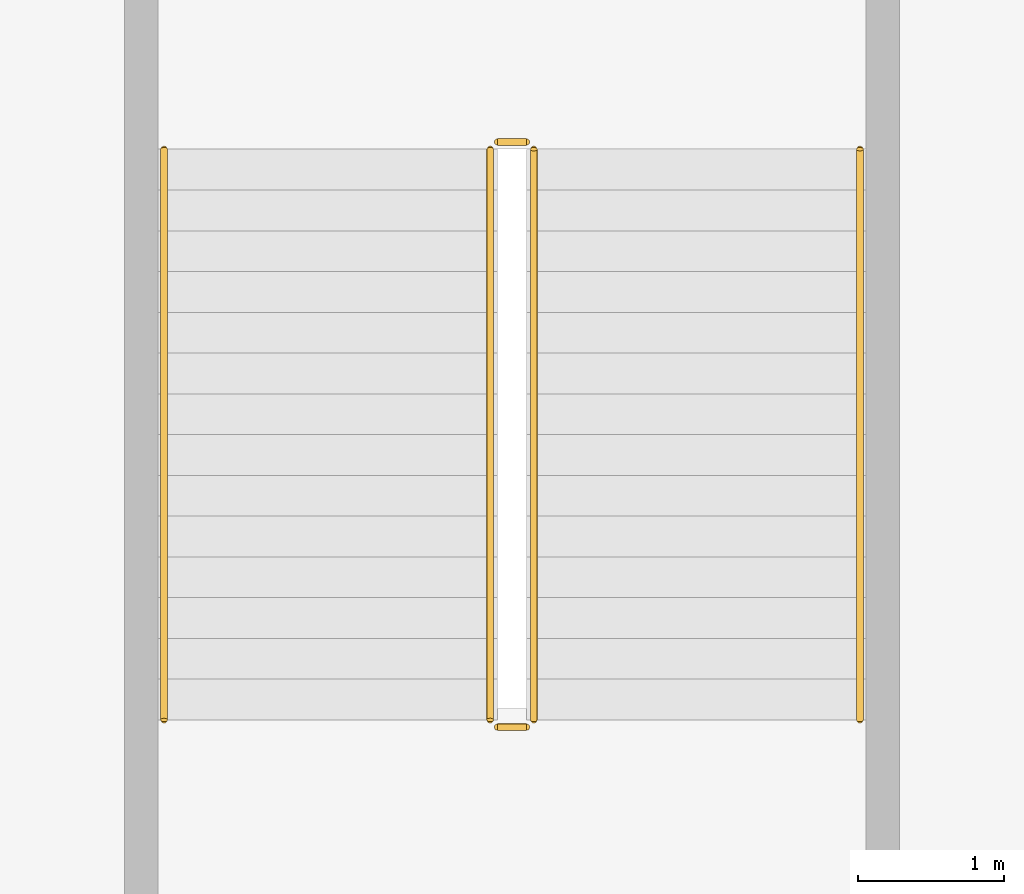
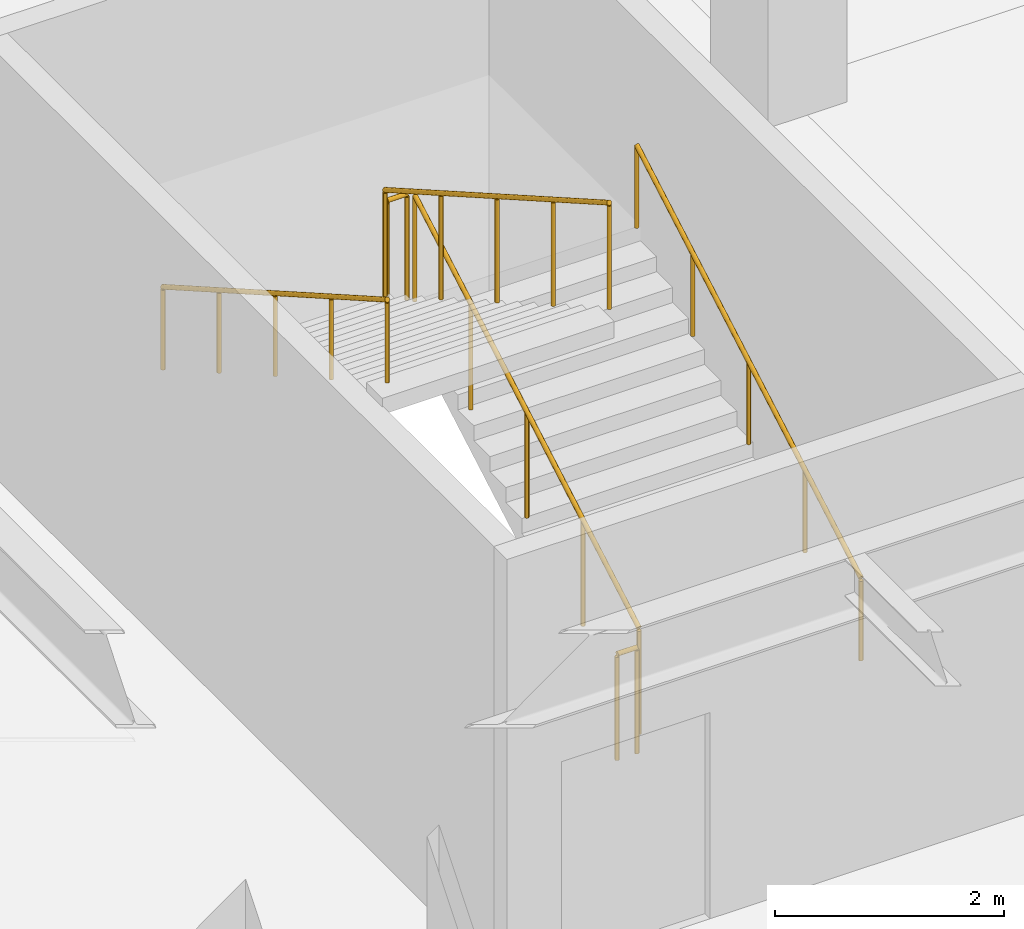
# One storey, part 115 of 134: 6 railings.
"""IFC4 building model written with IfcOpenShell, lengths in metres."""

import ifcopenshell
import ifcopenshell.guid

model = None  # the IFC model being written
_history = None  # IfcOwnerHistory: only IFC2X3 demands one
_inside = {}  # id of a spatial element -> (the spatial element, [elements in it])
_under = {}  # id of a project, library or spatial element -> (it, [spatial elements below it])
_declared = {}  # id of a project -> (the project, [libraries it declares])
_typed = {}  # id of a type object -> (the type object, [elements of that type])
_made_of = {}  # id of a material, layer set ... -> (it, [elements and type objects made of it])


def new_model(schema):
    """Start an empty IFC model of exactly this schema.

    Asked for "IFC4X3", IfcOpenShell would pick the latest addendum, in which some entities
    have other attributes; the version numbers below select the first issue.
    IFC2X3 requires an IfcOwnerHistory on every rooted entity: one is made here for all.
    """
    global model, _history
    if schema == "IFC4X3":
        model = ifcopenshell.file(schema_version=(4, 3, 0, 0))
    else:
        model = ifcopenshell.file(schema=schema)
    _inside.clear()
    _under.clear()
    _declared.clear()
    _typed.clear()
    _made_of.clear()
    _history = None
    if model.schema == "IFC2X3":
        org = make("IfcOrganization", Name="unknown")
        user = make(
            "IfcPersonAndOrganization",
            ThePerson=make("IfcPerson", FamilyName="unknown"),
            TheOrganization=org,
        )
        app = make(
            "IfcApplication",
            ApplicationDeveloper=org,
            Version="unknown",
            ApplicationFullName="unknown",
            ApplicationIdentifier="unknown",
        )
        _history = make(
            "IfcOwnerHistory",
            OwningUser=user,
            OwningApplication=app,
            ChangeAction="ADDED",
            CreationDate=0,
        )
    return model


def make(cls, **values):
    """One entity of the class cls with the attributes given. An attribute that is None is left unset."""
    return model.create_entity(
        cls, **{name: value for name, value in values.items() if value is not None}
    )


def rooted(cls, **values):
    """An entity with a GlobalId (a new one), such as an element, a storey or a relation."""
    return make(cls, GlobalId=ifcopenshell.guid.new(), OwnerHistory=_history, **values)


def si_unit(unit_type, name, prefix=None):
    """IfcSIUnit, for example si_unit("LENGTHUNIT", "METRE", prefix="MILLI")."""
    return make("IfcSIUnit", UnitType=unit_type, Prefix=prefix, Name=name)


def assignment(units):
    """IfcUnitAssignment: the units of a project."""
    return None if units is None else make("IfcUnitAssignment", Units=units)


def point(xyz):
    """IfcCartesianPoint."""
    return None if xyz is None else make("IfcCartesianPoint", Coordinates=xyz)


def direction(xyz):
    """IfcDirection."""
    return None if xyz is None else make("IfcDirection", DirectionRatios=xyz)


def frame(location, z_axis=None, x_axis=None):
    """IfcAxis2Placement3D, a coordinate frame: its origin and axes. An axis left out is left unset."""
    return make(
        "IfcAxis2Placement3D",
        Location=point(location),
        Axis=direction(z_axis),
        RefDirection=direction(x_axis),
    )


def frame_2d(location, x_axis=None):
    """IfcAxis2Placement2D, a coordinate frame in the plane: its origin and x axis."""
    return make(
        "IfcAxis2Placement2D", Location=point(location), RefDirection=direction(x_axis)
    )


def origin():
    """The frame at (0, 0, 0) with its axes left unset."""
    return frame((0.0, 0.0, 0.0))


def origin_2d():
    """The frame at (0, 0) in the plane with its x axis left unset."""
    return frame_2d((0.0, 0.0))


def place(relative_to, where):
    """IfcLocalPlacement: puts the frame where relative to a parent placement (None: the world)."""
    return make(
        "IfcLocalPlacement", PlacementRelTo=relative_to, RelativePlacement=where
    )


def context(
    kind, dimensions, precision=None, world=None, true_north=None, identifier=None
):
    """IfcGeometricRepresentationContext, for example the 3D "Model" context."""
    return make(
        "IfcGeometricRepresentationContext",
        ContextIdentifier=identifier,
        ContextType=kind,
        CoordinateSpaceDimension=dimensions,
        Precision=precision,
        WorldCoordinateSystem=world,
        TrueNorth=true_north,
    )


def subcontext(parent, identifier, kind, view, scale=None):
    """IfcGeometricRepresentationSubContext, for example "Body" below "Model"."""
    return make(
        "IfcGeometricRepresentationSubContext",
        ContextIdentifier=identifier,
        ContextType=kind,
        ParentContext=parent,
        TargetScale=scale,
        TargetView=view,
    )


def project(units=None, contexts=None):
    """IfcProject with its units and contexts."""
    return rooted(
        "IfcProject",
        Name="project",
        RepresentationContexts=contexts,
        UnitsInContext=assignment(units),
    )


def spatial(cls, under=None, at=None, **own):
    """A site, building, storey or space (cls), placed at a placement, below another one or the project."""
    s = rooted(cls, ObjectPlacement=at, **own)
    if under is not None:
        _under.setdefault(under.id(), (under, []))[1].append(s)
    return s


def profile(cls, at=None, kind="AREA", **sizes):
    """A parametric profile (cls). Its sizes go by their IFC names, for example OverallWidth=200.0."""
    return make(cls, ProfileType=kind, Position=at, **sizes)


def circle(**sizes):
    """IfcCircleProfileDef."""
    return profile("IfcCircleProfileDef", **sizes)


def extrude(swept, where, along, depth):
    """IfcExtrudedAreaSolid: the profile swept, set in the frame where, extruded along a direction by depth."""
    return make(
        "IfcExtrudedAreaSolid",
        SweptArea=swept,
        Position=where,
        ExtrudedDirection=direction(along),
        Depth=depth,
    )


def shape(context_of_items, identifier, shape_type, items):
    """IfcShapeRepresentation: the items that make up one representation, for example the "Body"."""
    return make(
        "IfcShapeRepresentation",
        ContextOfItems=context_of_items,
        RepresentationIdentifier=identifier,
        RepresentationType=shape_type,
        Items=items,
    )


def material(Name=None, Category=None):
    """IfcMaterial."""
    return make("IfcMaterial", Name=Name, Category=Category)


def layer(
    of_material, thickness, ventilated=None, Name=None, Category=None, Priority=None
):
    """IfcMaterialLayer: one layer of a wall or slab, of a material (None: an air gap)."""
    return make(
        "IfcMaterialLayer",
        Material=of_material,
        LayerThickness=thickness,
        IsVentilated=ventilated,
        Name=Name,
        Category=Category,
        Priority=Priority,
    )


def layer_set(layers, Name=None):
    """IfcMaterialLayerSet."""
    return make("IfcMaterialLayerSet", MaterialLayers=layers, LayerSetName=Name)


def made_of(thing, what):
    """Note that an element or type object is made of a material, layer set ...; save() writes the relation."""
    if what is not None:
        _made_of.setdefault(what.id(), (what, []))[1].append(thing)
    return thing


def type_object(cls, material=None, **own):
    """A type object (cls), such as IfcWallType, which elements share."""
    return made_of(rooted(cls, **own), material)


def element(
    cls,
    number,
    at=None,
    inside=None,
    cuts=None,
    type_object=None,
    material=None,
    context=None,
    identifier="Body",
    shape_type=None,
    held_by="IfcProductDefinitionShape",
    body=None,
    shapes=None,
    **own,
):
    """One element of the class cls, such as IfcWall. Its Tag is "e" and its number.

    at: its placement. inside: the storey or other place that contains it. cuts: it is an
    opening in that element (IfcRelVoidsElement). A single representation is given by context,
    identifier, shape_type and body (its items); several are given by shapes. held_by: the class
    of the entity that holds the representations. save() writes the other relations.
    """
    e = rooted(cls, Tag="e%d" % number, ObjectPlacement=at, **own)
    if body is not None:
        shapes = [shape(context, identifier, shape_type, body)]
    if shapes is not None:
        e.Representation = make(held_by, Representations=shapes)
    if inside is not None:
        _inside.setdefault(inside.id(), (inside, []))[1].append(e)
    if cuts is not None:
        rooted(
            "IfcRelVoidsElement", RelatingBuildingElement=cuts, RelatedOpeningElement=e
        )
    if type_object is not None:
        _typed.setdefault(type_object.id(), (type_object, []))[1].append(e)
    return made_of(e, material)


def aggregate(whole, parts):
    """IfcRelAggregates: a whole, such as a stair, and the parts it consists of."""
    return rooted("IfcRelAggregates", RelatingObject=whole, RelatedObjects=parts)


def save(model, path):
    """Write the relations noted so far, then the file.

    IfcRelAggregates (storeys below a building ...), IfcRelContainedInSpatialStructure (elements
    in a storey), IfcRelDefinesByType, IfcRelAssociatesMaterial and IfcRelDeclares: one each for
    every whole, place, type object, material and project.
    """
    for whole, parts in _under.values():
        aggregate(whole, parts)
    for where, things in _inside.values():
        rooted(
            "IfcRelContainedInSpatialStructure",
            RelatedElements=things,
            RelatingStructure=where,
        )
    for kind, things in _typed.values():
        rooted("IfcRelDefinesByType", RelatedObjects=things, RelatingType=kind)
    for what, things in _made_of.values():
        rooted("IfcRelAssociatesMaterial", RelatedObjects=things, RelatingMaterial=what)
    for by, libraries in _declared.values():
        rooted("IfcRelDeclares", RelatingContext=by, RelatedDefinitions=libraries)
    model.write(path)


model = new_model("IFC4")

# Units and contexts
model_context = context("Model", 3, precision=1e-05, world=origin(), true_north=direction((0.0, 1.0)))
body_context = subcontext(model_context, "Body", "Model", "MODEL_VIEW")
ifc_project = project(units=[si_unit("LENGTHUNIT", "METRE"), si_unit("AREAUNIT", "SQUARE_METRE"), si_unit("VOLUMEUNIT", "CUBIC_METRE"), si_unit("PLANEANGLEUNIT", "RADIAN"), si_unit("MASSUNIT", "GRAM", prefix="KILO")], contexts=[model_context])

# Site, building, storey
site_placement = place(None, origin())
site = spatial("IfcSite", under=ifc_project, at=site_placement, CompositionType="ELEMENT")
building_placement = place(site_placement, origin())
building = spatial("IfcBuilding", under=site, at=building_placement, Name="Kazenohara Klinker Stadium", CompositionType="ELEMENT")
storey_placement = place(building_placement, frame((0.0, 0.0, 5.39990234375)))
storey = spatial("IfcBuildingStorey", under=building, at=storey_placement, Name="L01", CompositionType="ELEMENT", Elevation=5.39990234375)

# Railings
ifc_material_1 = material(Name="Brushed stainless steel 304 handrail", Category="steel")
ifc_layer_1 = layer(ifc_material_1, 0.050048828125)
ifc_layer_set_1 = layer_set([ifc_layer_1], Name="Brushed stainless steel 304 handrail")
railing_type_1 = type_object("IfcRailingType", Name="RL-HND-900", PredefinedType="HANDRAIL", material=ifc_layer_set_1)
railing_1_placement = place(storey_placement, frame((183.639892578125, 27.8798828125, 0.16015625)))
element("IfcRailing", 1, at=railing_1_placement, inside=storey, type_object=railing_type_1, Name="L01 ST16 stair handrail 1", PredefinedType="HANDRAIL", context=body_context, shape_type="SweptSolid", body=[
    extrude(circle(Radius=0.02392578125, at=origin_2d()), frame((0.0, 0.0, 0.8759765625), z_axis=(0.0, 0.86825312469, 0.496121468458), x_axis=(-1.0, 0.0, 0.0)), (0.0, 0.0, 1.0), 4.514892578125),
    extrude(circle(Radius=0.02099609375, at=origin_2d()), origin(), (0.0, 0.0, 1.0), 0.851806640625),
    extrude(circle(Radius=0.02099609375, at=origin_2d()), frame((0.0, 0.97998046875, 0.56005859375)), (0.0, 0.0, 1.0), 0.851806640625),
    extrude(circle(Radius=0.02099609375, at=origin_2d()), frame((0.0, 1.9599609375, 1.1201171875)), (0.0, 0.0, 1.0), 0.851806640625),
    extrude(circle(Radius=0.02099609375, at=origin_2d()), frame((0.0, 2.940185546875, 1.679931640625)), (0.0, 0.0, 1.0), 0.851806640625),
    extrude(circle(Radius=0.02099609375, at=origin_2d()), frame((0.0, 3.920166015625, 2.239990234375)), (0.0, 0.0, 1.0), 0.851806640625),
])
railing_2_placement = place(storey_placement, frame((178.860107421875, 31.800048828125, 2.56005859375)))
element("IfcRailing", 2, at=railing_2_placement, inside=storey, type_object=railing_type_1, Name="L01 ST16 stair handrail 2", PredefinedType="HANDRAIL", context=body_context, shape_type="SweptSolid", body=[
    extrude(circle(Radius=0.02392578125, at=origin_2d()), frame((0.0, 0.0, 0.8759765625), z_axis=(0.0, -0.86825312469, 0.496121468458), x_axis=(1.0, 0.0, 0.0)), (0.0, 0.0, 1.0), 4.514892578125),
    extrude(circle(Radius=0.02099609375, at=origin_2d()), origin(), (0.0, 0.0, 1.0), 0.851806640625),
    extrude(circle(Radius=0.02099609375, at=origin_2d()), frame((0.0, -0.97998046875, 0.56005859375)), (0.0, 0.0, 1.0), 0.851806640625),
    extrude(circle(Radius=0.02099609375, at=origin_2d()), frame((0.0, -1.9599609375, 1.1201171875)), (0.0, 0.0, 1.0), 0.851806640625),
    extrude(circle(Radius=0.02099609375, at=origin_2d()), frame((0.0, -2.940185546875, 1.679931640625)), (0.0, 0.0, 1.0), 0.851806640625),
    extrude(circle(Radius=0.02099609375, at=origin_2d()), frame((0.0, -3.920166015625, 2.239990234375)), (0.0, 0.0, 1.0), 0.851806640625),
])
ifc_material_2 = material(Name="Painted steel stairwell guardrail", Category="steel")
ifc_layer_2 = layer(ifc_material_2, 0.06005859375)
ifc_layer_set_2 = layer_set([ifc_layer_2], Name="Painted steel stairwell guardrail")
railing_type_2 = type_object("IfcRailingType", Name="RL-STG-1120", PredefinedType="GUARDRAIL", material=ifc_layer_set_2)
railing_3_placement = place(storey_placement, frame((181.39990234375, 27.8798828125, 0.16015625)))
element("IfcRailing", 3, at=railing_3_placement, inside=storey, type_object=railing_type_2, Name="L01 ST16 stair guard 1", PredefinedType="GUARDRAIL", context=body_context, shape_type="SweptSolid", body=[
    extrude(circle(Radius=0.02392578125, at=origin_2d()), frame((0.0, 0.0, 1.1259765625), z_axis=(0.0, 0.86825312469, 0.496121468458), x_axis=(-1.0, 0.0, 0.0)), (0.0, 0.0, 1.0), 4.514892578125),
    extrude(circle(Radius=0.02099609375, at=origin_2d()), origin(), (0.0, 0.0, 1.0), 1.101806640625),
    extrude(circle(Radius=0.02099609375, at=origin_2d()), frame((0.0, 0.97998046875, 0.56005859375)), (0.0, 0.0, 1.0), 1.101806640625),
    extrude(circle(Radius=0.02099609375, at=origin_2d()), frame((0.0, 1.9599609375, 1.1201171875)), (0.0, 0.0, 1.0), 1.101806640625),
    extrude(circle(Radius=0.02099609375, at=origin_2d()), frame((0.0, 2.940185546875, 1.679931640625)), (0.0, 0.0, 1.0), 1.101806640625),
    extrude(circle(Radius=0.02099609375, at=origin_2d()), frame((0.0, 3.920166015625, 2.239990234375)), (0.0, 0.0, 1.0), 1.101806640625),
])
railing_4_placement = place(storey_placement, frame((181.35009765625, 31.85009765625, 2.400146484375)))
element("IfcRailing", 4, at=railing_4_placement, inside=storey, type_object=railing_type_2, Name="L01 ST16 stair guard 2", PredefinedType="GUARDRAIL", context=body_context, shape_type="SweptSolid", body=[
    extrude(circle(Radius=0.02392578125, at=origin_2d()), frame((0.0, 0.0, 1.1259765625), z_axis=(-1.0, 0.0, 0.0), x_axis=(0.0, -1.0, 0.0)), (0.0, 0.0, 1.0), 0.2001953125),
    extrude(circle(Radius=0.02099609375, at=origin_2d()), origin(), (0.0, 0.0, 1.0), 1.101806640625),
    extrude(circle(Radius=0.02099609375, at=origin_2d()), frame((-0.2001953125, 0.0, 0.0)), (0.0, 0.0, 1.0), 1.101806640625),
])
railing_5_placement = place(storey_placement, frame((181.10009765625, 31.800048828125, 2.56005859375)))
element("IfcRailing", 5, at=railing_5_placement, inside=storey, type_object=railing_type_2, Name="L01 ST16 stair guard 3", PredefinedType="GUARDRAIL", context=body_context, shape_type="SweptSolid", body=[
    extrude(circle(Radius=0.02392578125, at=origin_2d()), frame((0.0, 0.0, 1.1259765625), z_axis=(0.0, -0.86825312469, 0.496121468458), x_axis=(1.0, 0.0, 0.0)), (0.0, 0.0, 1.0), 4.514892578125),
    extrude(circle(Radius=0.02099609375, at=origin_2d()), origin(), (0.0, 0.0, 1.0), 1.101806640625),
    extrude(circle(Radius=0.02099609375, at=origin_2d()), frame((0.0, -0.97998046875, 0.56005859375)), (0.0, 0.0, 1.0), 1.101806640625),
    extrude(circle(Radius=0.02099609375, at=origin_2d()), frame((0.0, -1.9599609375, 1.1201171875)), (0.0, 0.0, 1.0), 1.101806640625),
    extrude(circle(Radius=0.02099609375, at=origin_2d()), frame((0.0, -2.940185546875, 1.679931640625)), (0.0, 0.0, 1.0), 1.101806640625),
    extrude(circle(Radius=0.02099609375, at=origin_2d()), frame((0.0, -3.920166015625, 2.239990234375)), (0.0, 0.0, 1.0), 1.101806640625),
])
railing_6_placement = place(storey_placement, frame((181.35009765625, 27.830078125, 0.0)))
element("IfcRailing", 6, at=railing_6_placement, inside=storey, type_object=railing_type_2, Name="L01 ST16 stair guard 4", PredefinedType="GUARDRAIL", context=body_context, shape_type="SweptSolid", body=[
    extrude(circle(Radius=0.02392578125, at=origin_2d()), frame((0.0, 0.0, 1.1259765625), z_axis=(-1.0, 0.0, 0.0), x_axis=(0.0, -1.0, 0.0)), (0.0, 0.0, 1.0), 0.2001953125),
    extrude(circle(Radius=0.02099609375, at=origin_2d()), origin(), (0.0, 0.0, 1.0), 1.101806640625),
    extrude(circle(Radius=0.02099609375, at=origin_2d()), frame((-0.2001953125, 0.0, 0.0)), (0.0, 0.0, 1.0), 1.101806640625),
])

save(model, "model.ifc")
